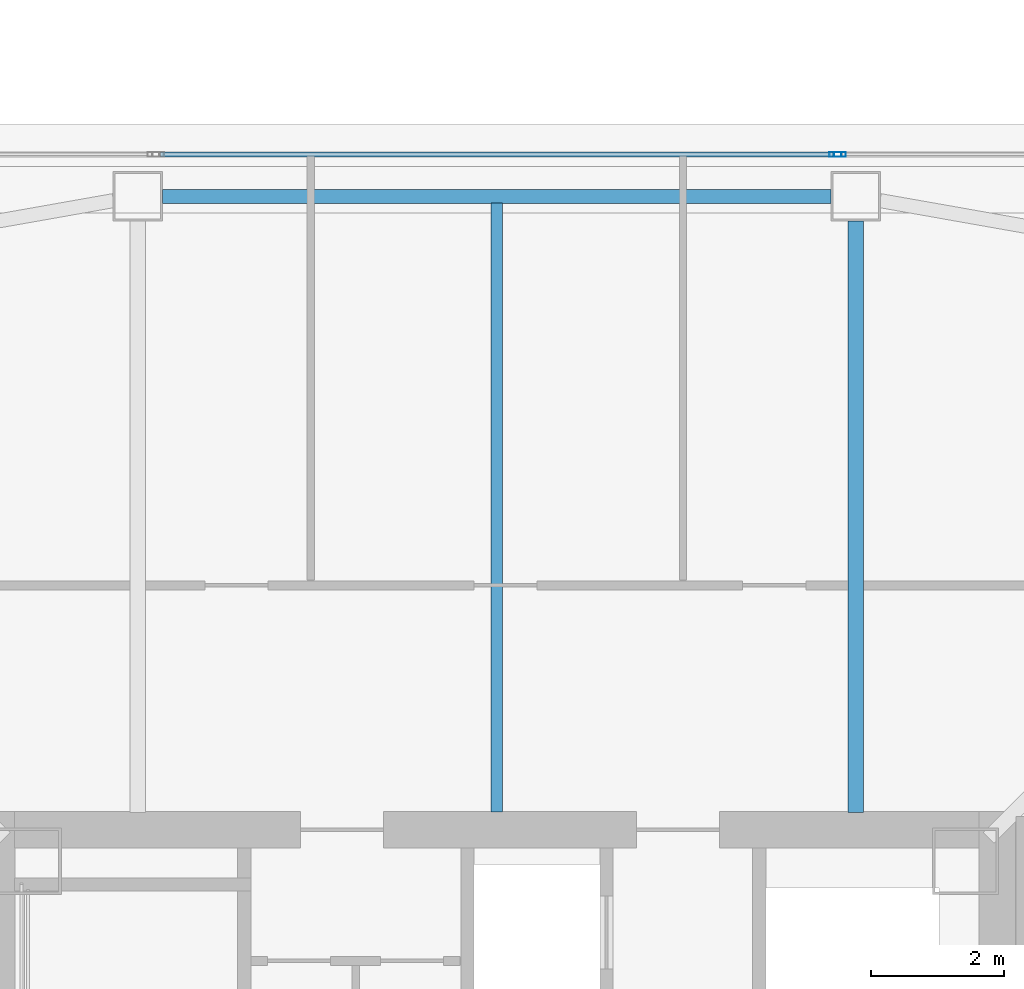
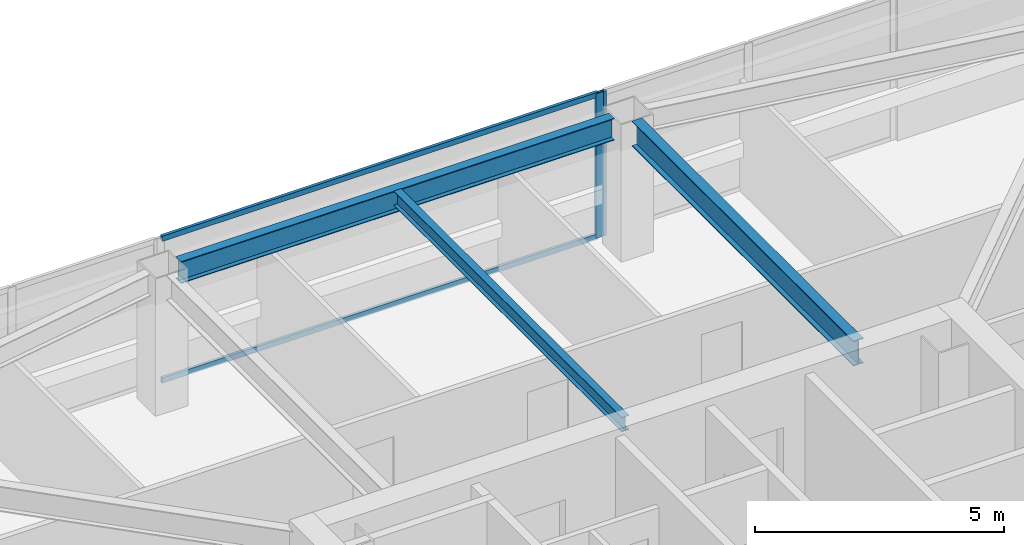
# One storey, part 14 of 43: 4 members, 3 beams, 2 elements without a shape of their own.
"""IFC4 building model written with IfcOpenShell, lengths in metres."""

from ifc_helpers import new_model, si_unit, direction, frame, origin, origin_2d, place, context, subcontext, project, spatial, hollow_rectangle, i_section, extrude, material, material_profile, profile_set, type_object, element, aggregate, save


model = new_model("IFC4")

# Units and contexts
model_context = context("Model", 3, precision=1e-05, world=origin(), true_north=direction((0.0, 1.0)))
body_context = subcontext(model_context, "Body", "Model", "MODEL_VIEW")
ifc_project = project(units=[si_unit("LENGTHUNIT", "METRE"), si_unit("AREAUNIT", "SQUARE_METRE"), si_unit("VOLUMEUNIT", "CUBIC_METRE"), si_unit("PLANEANGLEUNIT", "RADIAN"), si_unit("MASSUNIT", "GRAM", prefix="KILO")], contexts=[model_context])

# Site, building, storey
site_placement = place(None, origin())
site = spatial("IfcSite", under=ifc_project, at=site_placement, CompositionType="ELEMENT")
building_placement = place(site_placement, origin())
building = spatial("IfcBuilding", under=site, at=building_placement, Name="Tashvorn Skyway Center", CompositionType="ELEMENT")
storey_placement = place(building_placement, frame((0.0, 0.0, 160.550048828125)))
storey = spatial("IfcBuildingStorey", under=building, at=storey_placement, Name="L43", CompositionType="ELEMENT", Elevation=160.550048828125)

# Beams
ifc_material_1 = material(Name="Steel ASTM A992 Grade 50", Category="steel")
ifc_material_profile_1 = material_profile(ifc_material_1, i_section(OverallWidth=0.22998046875, OverallDepth=0.616943359375, WebThickness=0.01318359375, FlangeThickness=0.022216796875, at=origin_2d()), Name="W24X94")
ifc_profile_set_1 = profile_set([ifc_material_profile_1], Name="Steel ASTM A992 Grade 50")
beam_type_1 = type_object("IfcBeamType", Name="BM-BEAM-W24X94", PredefinedType="BEAM", material=ifc_profile_set_1)
beam_1_placement = place(storey_placement, frame((47.39990234375, 48.679931640625, 3.0615234375), z_axis=(0.0, -1.0, 0.0), x_axis=(1.0, 0.0, 0.0)))
element("IfcBeam", 1, at=beam_1_placement, inside=storey, type_object=beam_type_1, Name="Tower 1 L43 Primary Floor Girder FC-N1", PredefinedType="BEAM", context=body_context, shape_type="SweptSolid", body=[
    extrude(i_section(OverallWidth=0.22998046875, OverallDepth=0.616943359375, WebThickness=0.01318359375, FlangeThickness=0.022216796875, at=origin_2d()), origin(), (0.0, 0.0, 1.0), 8.89990234375),
])
ifc_material_profile_2 = material_profile(ifc_material_1, i_section(OverallWidth=0.1708984375, OverallDepth=0.35498046875, WebThickness=0.007080078125, FlangeThickness=0.01171875, at=origin_2d()), Name="W14X34")
ifc_profile_set_2 = profile_set([ifc_material_profile_2], Name="Steel ASTM A992 Grade 50")
beam_type_2 = type_object("IfcBeamType", Name="BM-JOIST-W14X34", PredefinedType="JOIST", material=ifc_profile_set_2)
beam_2_placement = place(storey_placement, frame((42.0, 39.7900390625, 3.1923828125), z_axis=(0.0, 1.0, 0.0), x_axis=(-1.0, 0.0, 0.0)))
element("IfcBeam", 2, at=beam_2_placement, inside=storey, type_object=beam_type_2, Name="Tower 1 L43 Secondary Composite Joist JN", PredefinedType="JOIST", context=body_context, shape_type="SweptSolid", body=[
    extrude(i_section(OverallWidth=0.1708984375, OverallDepth=0.35498046875, WebThickness=0.007080078125, FlangeThickness=0.01171875, at=origin_2d()), origin(), (0.0, 0.0, 1.0), 9.162353515625),
])
ifc_material_profile_3 = material_profile(ifc_material_1, i_section(OverallWidth=0.2109375, OverallDepth=0.5390625, WebThickness=0.01171875, FlangeThickness=0.018798828125, at=origin_2d()), Name="W21X73")
ifc_profile_set_3 = profile_set([ifc_material_profile_3], Name="Steel ASTM A992 Grade 50")
beam_type_3 = type_object("IfcBeamType", Name="BM-SPANDREL-W21X73", PredefinedType="SPANDREL", material=ifc_profile_set_3)
beam_3_placement = place(storey_placement, frame((47.030029296875, 49.050048828125, 3.100341796875), z_axis=(-1.0, 0.0, 0.0), x_axis=(0.0, -1.0, 0.0)))
element("IfcBeam", 3, at=beam_3_placement, inside=storey, type_object=beam_type_3, Name="Tower 1 L43 Spandrel Beam 08", PredefinedType="SPANDREL", context=body_context, shape_type="SweptSolid", body=[
    extrude(i_section(OverallWidth=0.2109375, OverallDepth=0.5390625, WebThickness=0.01171875, FlangeThickness=0.018798828125, at=origin_2d()), origin(), (0.0, 0.0, 1.0), 10.06005859375),
])

# Curtain wall, member
ifc_material_2 = material(Name="Thermally broken bronze-anodized aluminium 6063-T6", Category="aluminium")
curtain_wall_type = type_object("IfcCurtainWallType", Name="CW-CW-Z4", PredefinedType="NOTDEFINED", material=ifc_material_2)
curtain_wall_1_placement = place(storey_placement, origin())
curtain_wall_1 = element("IfcCurtainWall", 4, at=curtain_wall_1_placement, inside=storey, type_object=curtain_wall_type, Name="Tower 1 L43 North Unitised Curtain Wall Glazing Group 2", PredefinedType="NOTDEFINED")
ifc_material_profile_4 = material_profile(ifc_material_2, hollow_rectangle(XDim=0.070068359375, YDim=0.179931640625, WallThickness=0.00390625, at=origin_2d()), Name="ALU-MULL-70x180")
ifc_profile_set_4 = profile_set([ifc_material_profile_4], Name="Thermally broken bronze-anodized aluminium 6063-T6")
member_type_1 = type_object("IfcMemberType", Name="CWM-CW-Z4", PredefinedType="MULLION", material=ifc_profile_set_4)
member_1_placement = place(storey_placement, frame((47.091796875, 49.679931640625, 0.0), z_axis=(0.0, 0.0, 1.0), x_axis=(0.0, 1.0, 0.0)))
member_1 = element("IfcMember", 5, at=member_1_placement, type_object=member_type_1, Name="CW-Z4 mullion 2", PredefinedType="MULLION", context=body_context, shape_type="SweptSolid", body=[
    extrude(hollow_rectangle(XDim=0.070068359375, YDim=0.179931640625, WallThickness=0.00390625, at=origin_2d()), origin(), (0.0, 0.0, 1.0), 3.550048828125),
])

curtain_wall_2_placement = place(storey_placement, origin())
curtain_wall_2 = element("IfcCurtainWall", 6, at=curtain_wall_2_placement, inside=storey, type_object=curtain_wall_type, Name="Tower 1 L43 North Unitised Curtain Wall Glazing Group 3", PredefinedType="NOTDEFINED")
member_2_placement = place(storey_placement, frame((47.16162109375, 49.679931640625, 0.0), z_axis=(0.0, 0.0, 1.0), x_axis=(0.0, 1.0, 0.0)))
member_2 = element("IfcMember", 7, at=member_2_placement, type_object=member_type_1, Name="CW-Z4 mullion 1", PredefinedType="MULLION", context=body_context, shape_type="SweptSolid", body=[
    extrude(hollow_rectangle(XDim=0.070068359375, YDim=0.179931640625, WallThickness=0.00390625, at=origin_2d()), origin(), (0.0, 0.0, 1.0), 3.550048828125),
])
aggregate(curtain_wall_2, [member_2])

# Member
ifc_material_profile_5 = material_profile(ifc_material_2, hollow_rectangle(XDim=0.070068359375, YDim=0.1298828125, WallThickness=0.00390625, at=origin_2d()), Name="ALU-TRAN-70x130")
ifc_profile_set_5 = profile_set([ifc_material_profile_5], Name="Thermally broken bronze-anodized aluminium 6063-T6")
member_type_2 = type_object("IfcMemberType", Name="CWT-CW-Z4", PredefinedType="USERDEFINED", material=ifc_profile_set_5)
member_3_placement = place(storey_placement, frame((36.943359375, 49.679931640625, 0.034912109375), z_axis=(1.0, 0.0, 0.0), x_axis=(0.0, 1.0, 0.0)))
member_3 = element("IfcMember", 8, at=member_3_placement, type_object=member_type_2, Name="CW-Z4 transom 1.1", ObjectType="TRANSOM", PredefinedType="USERDEFINED", context=body_context, shape_type="SweptSolid", body=[
    extrude(hollow_rectangle(XDim=0.070068359375, YDim=0.1298828125, WallThickness=0.00390625, at=origin_2d()), origin(), (0.0, 0.0, 1.0), 10.11328125),
])

member_4_placement = place(storey_placement, frame((36.943359375, 49.679931640625, 3.514892578125), z_axis=(1.0, 0.0, 0.0), x_axis=(0.0, 1.0, 0.0)))
member_4 = element("IfcMember", 9, at=member_4_placement, type_object=member_type_2, Name="CW-Z4 transom 1.2", ObjectType="TRANSOM", PredefinedType="USERDEFINED", context=body_context, shape_type="SweptSolid", body=[
    extrude(hollow_rectangle(XDim=0.070068359375, YDim=0.1298828125, WallThickness=0.00390625, at=origin_2d()), origin(), (0.0, 0.0, 1.0), 10.11328125),
])

aggregate(curtain_wall_1, [member_1, member_3, member_4])

save(model, "model.ifc")
